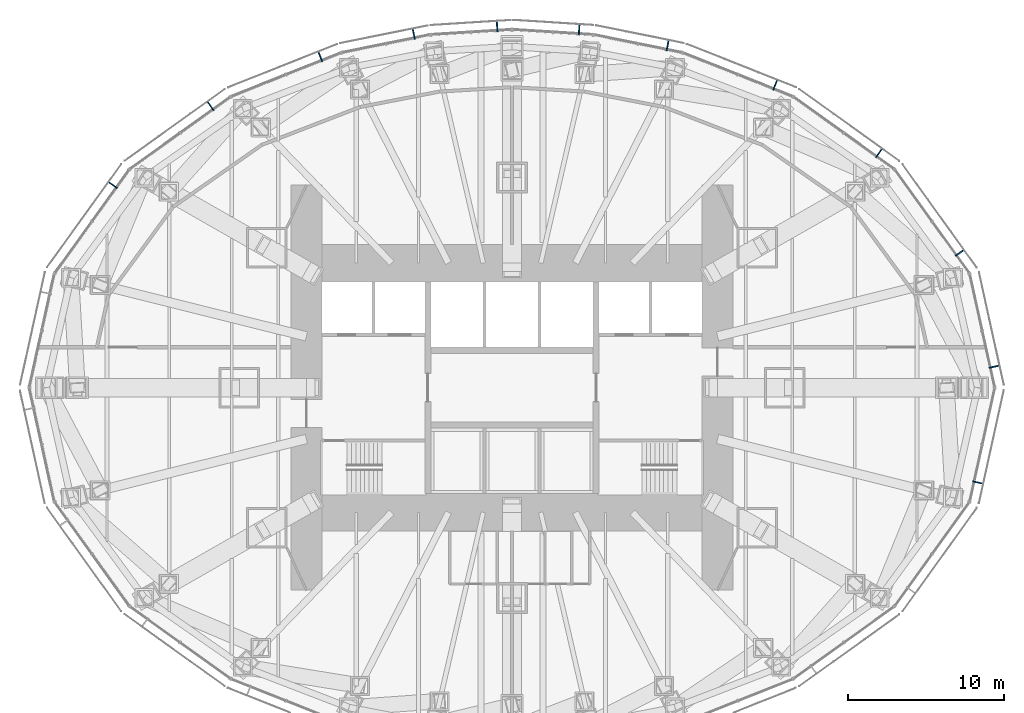
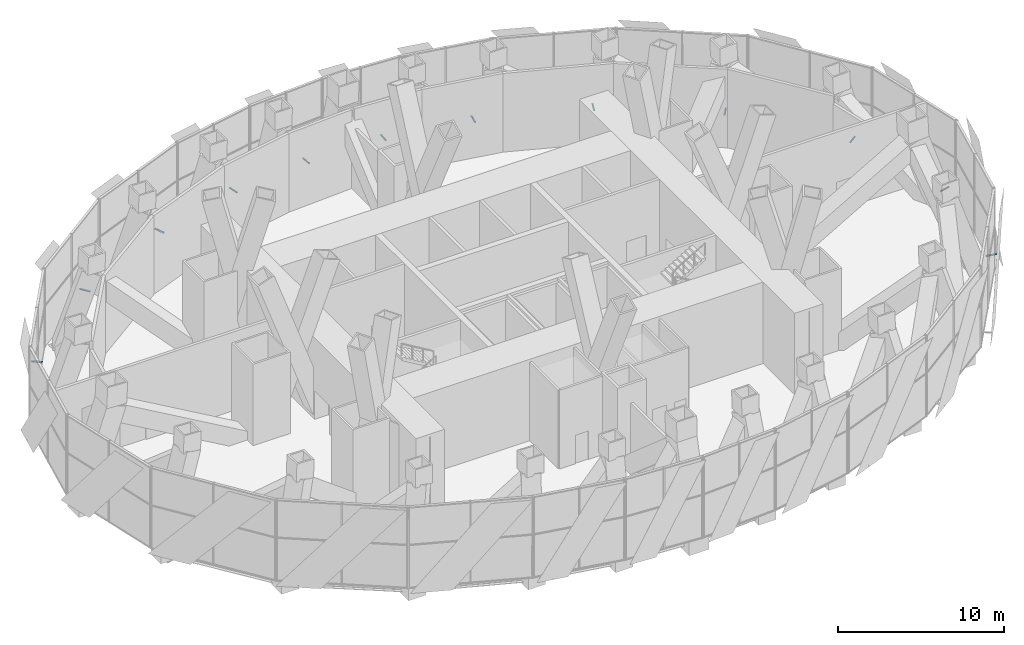
# One storey, part 17 of 21: 12 discrete accessories.
"""IFC4 building model written with IfcOpenShell, lengths in metres."""

from ifc_helpers import new_model, si_unit, direction, frame, origin, origin_2d, place, context, subcontext, project, spatial, rectangle, extrude, element, save


model = new_model("IFC4")

# Units and contexts
model_context = context("Model", 3, precision=1e-05, world=origin(), true_north=direction((0.0, 1.0)))
body_context = subcontext(model_context, "Body", "Model", "MODEL_VIEW")
ifc_project = project(units=[si_unit("LENGTHUNIT", "METRE"), si_unit("AREAUNIT", "SQUARE_METRE"), si_unit("VOLUMEUNIT", "CUBIC_METRE"), si_unit("PLANEANGLEUNIT", "RADIAN"), si_unit("MASSUNIT", "GRAM", prefix="KILO")], contexts=[model_context])

# Site, building, storey
site_placement = place(None, origin())
site = spatial("IfcSite", under=ifc_project, at=site_placement, CompositionType="ELEMENT")
building_placement = place(site_placement, origin())
building = spatial("IfcBuilding", under=site, at=building_placement, Name="Lantaw Convention Tower", CompositionType="ELEMENT")
storey_placement = place(building_placement, frame((0.0, 0.0, 105.39990234375)))
storey = spatial("IfcBuildingStorey", under=building, at=storey_placement, Name="L25", CompositionType="ELEMENT", Elevation=105.39990234375)

# Discrete accessories
for number, where, z_axis, x_axis, name in (
    (1, (30.967529296875, 1.35009765625, -0.139892578125), (0.0, 0.0, 1.0), (-0.215246056391, 0.976559847223, 0.0), "Screen bracket"),
    (2, (28.745849609375, 8.65869140625, -0.139892578125), (0.0, 0.0, 1.0), (-0.583951250436, 0.811788726895, 0.0), "Screen bracket"),
    (3, (23.564453125, 15.06640625, -0.139892578125), (0.0, 0.0, 1.0), (-0.812803733199, 0.5825376308, 0.0), "Screen bracket"),
    (4, (16.898193359375, 19.4345703125, -0.139892578125), (0.0, 0.0, 1.0), (-0.929361152748, 0.369171840425, 0.0), "Screen bracket"),
    (5, (9.990478515625, 21.974365234375, -0.139892578125), (0.0, 0.0, 1.0), (-0.980244604501, 0.197789067813, 0.0), "Screen bracket"),
    (6, (4.310302734375, 22.987548828125, -0.139892578125), (0.0, 0.0, 1.0), (-0.998016153807, 0.062958373078, 0.0), "Screen bracket"),
    (7, (-0.9560546875, 23.19921875, -0.139892578125), (0.0, 0.0, 1.0), (-0.998016153807, -0.062958373078, 0.0), "Screen bracket"),
    (8, (-6.307861328125, 22.71728515625, -0.139892578125), (0.0, 0.0, 1.0), (-0.980244604501, -0.197789067813, 0.0), "Screen bracket"),
    (9, (-12.309814453125, 21.25732421875, -0.139892578125), (0.0, 0.0, 1.0), (-0.929361152748, -0.369171840425, 0.0), "Screen bracket"),
    (10, (-19.352294921875, 18.085205078125, -0.139892578125), (0.0, 0.0, 1.0), (-0.812803733199, -0.5825376308, 0.0), "Screen bracket"),
    (11, (-25.61962890625, 13.004638671875, -0.139892578125), (0.0, 0.0, 1.0), (-0.583951250436, -0.811788726895, 0.0), "Screen bracket"),
    (12, (29.92333984375, -6.087890625, -0.139892578125), (0.0, 0.0, 1.0), (0.215246056391, 0.976559847223, 0.0), "Screen bracket"),
):
    element("IfcDiscreteAccessory", number, at=place(storey_placement, frame(where, z_axis=z_axis, x_axis=x_axis)), inside=storey, Name=name, PredefinedType="BRACKET", context=body_context, shape_type="SweptSolid", body=[
        extrude(rectangle(XDim=0.080078125, YDim=0.68798828125, at=origin_2d()), origin(), (0.0, 0.0, 1.0), 0.080078125),
    ])

save(model, "model.ifc")
